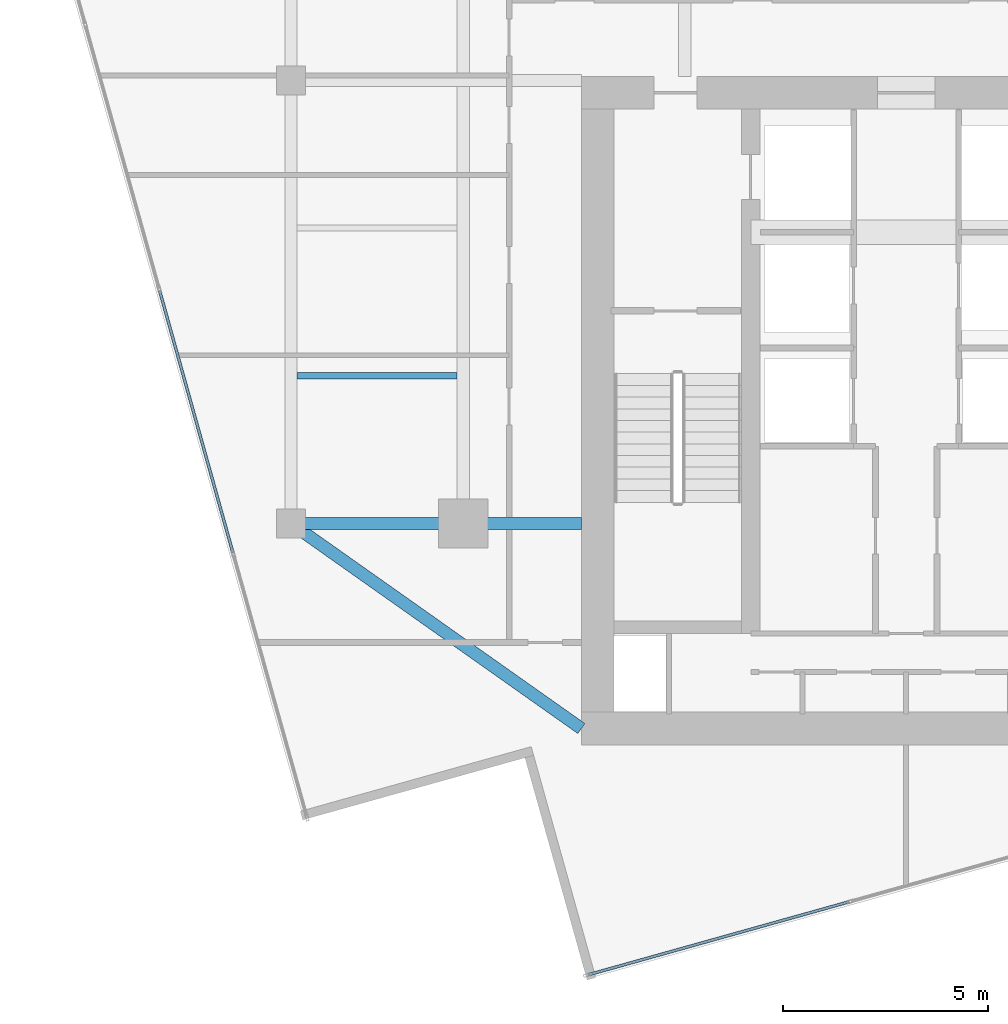
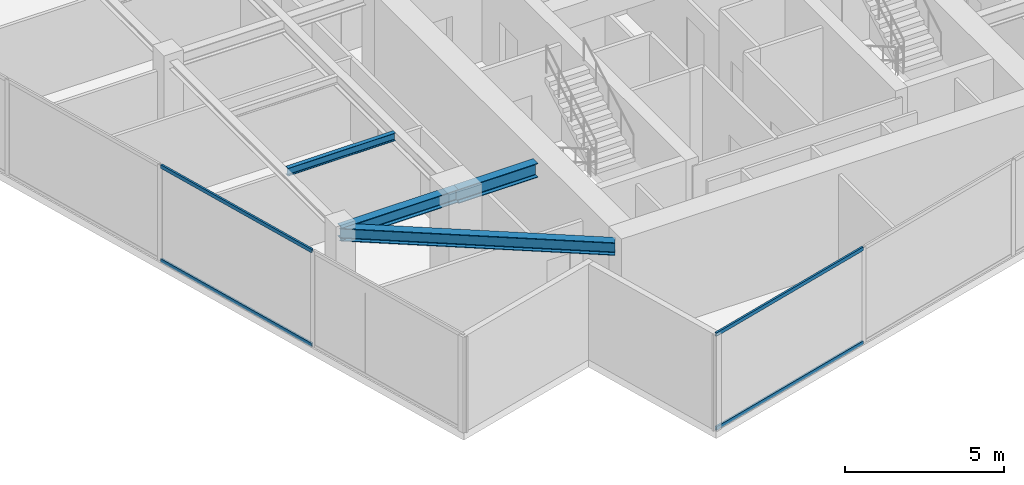
# One storey, part 3 of 21: 4 beams, 4 members, 2 elements without a shape of their own.
"""IFC4 building model written with IfcOpenShell, lengths in metres."""

from ifc_helpers import new_model, si_unit, direction, frame, origin, origin_2d, place, context, subcontext, project, spatial, hollow_rectangle, i_section, extrude, source, transform, mapped, material, material_profile, profile_set, type_object, type_shapes, element, aggregate, save


model = new_model("IFC4")

# Units and contexts
model_context = context("Model", 3, precision=1e-05, world=origin(), true_north=direction((0.0, 1.0)))
body_context = subcontext(model_context, "Body", "Model", "MODEL_VIEW")
ifc_project = project(units=[si_unit("LENGTHUNIT", "METRE"), si_unit("AREAUNIT", "SQUARE_METRE"), si_unit("VOLUMEUNIT", "CUBIC_METRE"), si_unit("PLANEANGLEUNIT", "RADIAN"), si_unit("MASSUNIT", "GRAM", prefix="KILO")], contexts=[model_context])

# Site, building, storey
site_placement = place(None, origin())
site = spatial("IfcSite", under=ifc_project, at=site_placement, CompositionType="ELEMENT")
building_placement = place(site_placement, origin())
building = spatial("IfcBuilding", under=site, at=building_placement, Name="Krantzveldt Concourse Tower", CompositionType="ELEMENT")
storey_placement = place(building_placement, frame((0.0, 0.0, 347.449951171875)))
storey = spatial("IfcBuildingStorey", under=building, at=storey_placement, Name="L85", CompositionType="ELEMENT", Elevation=347.449951171875)

# Beams
ifc_material_1 = material(Name="Steel S355JR", Category="steel")
ifc_material_profile_1 = material_profile(ifc_material_1, i_section(OverallWidth=0.300048828125, OverallDepth=0.489990234375, WebThickness=0.011962890625, FlangeThickness=0.02294921875, FilletRadius=0.027099609375, at=origin_2d()), Name="Steel S355JR", Category="steel")
ifc_profile_set_1 = profile_set([ifc_material_profile_1], Name="Steel S355JR - HEA 500")
beam_type_1 = type_object("IfcBeamType", Name="BM-B-HEA500", PredefinedType="BEAM", material=ifc_profile_set_1)
shared_shape_1 = source(origin(), body_context, "Body", "SweptSolid", [
    extrude(i_section(OverallWidth=0.300048828125, OverallDepth=0.489990234375, WebThickness=0.011962890625, FlangeThickness=0.02294921875, FilletRadius=0.027099609375, at=origin_2d()), origin(), (0.0, 0.0, 1.0), 4.199951171875),
])
beam_1_placement = place(storey_placement, frame((21.0, 15.89990234375, 3.425048828125), z_axis=(1.0, 0.0, 0.0), x_axis=(0.0, 1.0, 0.0)))
element("IfcBeam", 1, at=beam_1_placement, inside=storey, type_object=beam_type_1, Name="L85 Tower Girder BR-RL1", PredefinedType="BEAM", context=body_context, shape_type="MappedRepresentation", body=[
    mapped(shared_shape_1, transform((0.0, 0.0, 0.0), x_axis=(1.0, 0.0, 0.0), y_axis=(0.0, 1.0, 0.0), z_axis=(0.0, 0.0, 1.0), scale=1.0)),
])
shared_shape_2 = source(origin(), body_context, "Body", "SweptSolid", [
    extrude(i_section(OverallWidth=0.300048828125, OverallDepth=0.489990234375, WebThickness=0.011962890625, FlangeThickness=0.02294921875, FilletRadius=0.027099609375, at=origin_2d()), origin(), (0.0, 0.0, 1.0), 8.667724609375),
])
type_shapes(beam_type_1, [shared_shape_1, shared_shape_2])
beam_2_placement = place(storey_placement, frame((21.0, 15.89990234375, 3.425048828125), z_axis=(0.81684294656, -0.576860122261, 0.0), x_axis=(0.576860122261, 0.81684294656, 0.0)))
element("IfcBeam", 2, at=beam_2_placement, inside=storey, type_object=beam_type_1, Name="L85 Tower Girder BR-CSW", PredefinedType="BEAM", context=body_context, shape_type="MappedRepresentation", body=[
    mapped(shared_shape_2, transform((0.0, 0.0, 0.0), x_axis=(1.0, 0.0, 0.0), y_axis=(0.0, 1.0, 0.0), z_axis=(0.0, 0.0, 1.0), scale=1.0)),
])
ifc_material_profile_2 = material_profile(ifc_material_1, i_section(OverallWidth=0.300048828125, OverallDepth=0.5400390625, WebThickness=0.012451171875, FlangeThickness=0.02392578125, FilletRadius=0.027099609375, at=origin_2d()), Name="Steel S355JR", Category="steel")
ifc_profile_set_2 = profile_set([ifc_material_profile_2], Name="Steel S355JR - HEA 550")
beam_type_2 = type_object("IfcBeamType", Name="BM-B-HEA550", PredefinedType="BEAM", material=ifc_profile_set_2)
shared_shape_3 = source(origin(), body_context, "Body", "SweptSolid", [
    extrude(i_section(OverallWidth=0.300048828125, OverallDepth=0.5400390625, WebThickness=0.012451171875, FlangeThickness=0.02392578125, FilletRadius=0.027099609375, at=origin_2d()), origin(), (0.0, 0.0, 1.0), 2.880126953125),
])
type_shapes(beam_type_2, [shared_shape_3])
beam_3_placement = place(storey_placement, frame((25.199951171875, 15.89990234375, 3.400146484375), z_axis=(1.0, 0.0, 0.0), x_axis=(0.0, 1.0, 0.0)))
element("IfcBeam", 3, at=beam_3_placement, inside=storey, type_object=beam_type_2, Name="L85 Tower Girder BG-CW1", PredefinedType="BEAM", context=body_context, shape_type="MappedRepresentation", body=[
    mapped(shared_shape_3, transform((0.0, 0.0, 0.0), x_axis=(1.0, 0.0, 0.0), y_axis=(0.0, 1.0, 0.0), z_axis=(0.0, 0.0, 1.0), scale=1.0)),
])
ifc_material_profile_3 = material_profile(ifc_material_1, i_section(OverallWidth=0.14990234375, OverallDepth=0.300048828125, WebThickness=0.007080078125, FlangeThickness=0.0107421875, FilletRadius=0.014892578125, at=origin_2d()), Name="Steel S355JR", Category="steel")
ifc_profile_set_3 = profile_set([ifc_material_profile_3], Name="Steel S355JR - IPE 300")
beam_type_3 = type_object("IfcBeamType", Name="BM-J-IPE300", PredefinedType="JOIST", material=ifc_profile_set_3)
shared_shape_4 = source(origin(), body_context, "Body", "SweptSolid", [
    extrude(i_section(OverallWidth=0.14990234375, OverallDepth=0.300048828125, WebThickness=0.007080078125, FlangeThickness=0.0107421875, FilletRadius=0.014892578125, at=origin_2d()), origin(), (0.0, 0.0, 1.0), 3.900146484375),
])
type_shapes(beam_type_3, [shared_shape_4])
beam_4_placement = place(storey_placement, frame((21.14990234375, 19.5, 3.52001953125), z_axis=(1.0, 0.0, 0.0), x_axis=(0.0, 1.0, 0.0)))
element("IfcBeam", 4, at=beam_4_placement, inside=storey, type_object=beam_type_3, Name="L85 Secondary Floor Joist JW-1", PredefinedType="JOIST", context=body_context, shape_type="MappedRepresentation", body=[
    mapped(shared_shape_4, transform((0.0, 0.0, 0.0), x_axis=(1.0, 0.0, 0.0), y_axis=(0.0, 1.0, 0.0), z_axis=(0.0, 0.0, 1.0), scale=1.0)),
])

# Curtain wall, members
ifc_material_2 = material(Name="Anodised aluminium 6063-T6", Category="aluminium")
curtain_wall_type = type_object("IfcCurtainWallType", Name="CW4", PredefinedType="USERDEFINED", material=ifc_material_2)
curtain_wall_1_placement = place(storey_placement, origin())
curtain_wall_1 = element("IfcCurtainWall", 5, at=curtain_wall_1_placement, inside=storey, type_object=curtain_wall_type, Name="CW-L85-F07", ObjectType="UNITISED CURTAIN WALL", PredefinedType="USERDEFINED")
ifc_material_profile_4 = material_profile(ifc_material_2, hollow_rectangle(XDim=0.070068359375, YDim=0.139892578125, WallThickness=0.0048828125, at=origin_2d()), Name="Anodised aluminium 6063-T6", Category="aluminium")
ifc_profile_set_4 = profile_set([ifc_material_profile_4], Name="Anodised aluminium 6063-T6 - ALU-TRAN 140x70x5")
member_type = type_object("IfcMemberType", Name="CW-TRN-150", PredefinedType="USERDEFINED", material=ifc_profile_set_4)
shared_shape_5 = source(origin(), body_context, "Body", "SweptSolid", [
    extrude(hollow_rectangle(XDim=0.070068359375, YDim=0.139892578125, WallThickness=0.0048828125, at=origin_2d()), origin(), (0.0, 0.0, 1.0), 6.594970703125),
])
member_1_placement = place(storey_placement, frame((28.255859375, 4.8984375, 0.03515625), z_axis=(0.963042794459, 0.269348428694, 0.0), x_axis=(-0.269348428694, 0.963042794459, 0.0)))
member_1 = element("IfcMember", 6, at=member_1_placement, type_object=member_type, Name="CW-Z56 transom 1.1", ObjectType="TRANSOM", PredefinedType="USERDEFINED", context=body_context, shape_type="MappedRepresentation", body=[
    mapped(shared_shape_5, transform((0.0, 0.0, 0.0), x_axis=(1.0, 0.0, 0.0), y_axis=(0.0, 1.0, 0.0), z_axis=(0.0, 0.0, 1.0), scale=1.0)),
])
member_2_placement = place(storey_placement, frame((28.255859375, 4.8984375, 3.635009765625), z_axis=(0.963042794459, 0.269348428694, 0.0), x_axis=(-0.269348428694, 0.963042794459, 0.0)))
member_2 = element("IfcMember", 7, at=member_2_placement, type_object=member_type, Name="CW-Z56 transom 1.2", ObjectType="TRANSOM", PredefinedType="USERDEFINED", context=body_context, shape_type="MappedRepresentation", body=[
    mapped(shared_shape_5, transform((0.0, 0.0, 0.0), x_axis=(1.0, 0.0, 0.0), y_axis=(0.0, 1.0, 0.0), z_axis=(0.0, 0.0, 1.0), scale=1.0)),
])
aggregate(curtain_wall_1, [member_1, member_2])

curtain_wall_2_placement = place(storey_placement, origin())
curtain_wall_2 = element("IfcCurtainWall", 8, at=curtain_wall_2_placement, inside=storey, type_object=curtain_wall_type, Name="CW-L85-F04", ObjectType="UNITISED CURTAIN WALL", PredefinedType="USERDEFINED")
shared_shape_6 = source(origin(), body_context, "Body", "SweptSolid", [
    extrude(hollow_rectangle(XDim=0.070068359375, YDim=0.139892578125, WallThickness=0.0048828125, at=origin_2d()), origin(), (0.0, 0.0, 1.0), 6.6298828125),
])
type_shapes(member_type, [shared_shape_5, shared_shape_6])
member_3_placement = place(storey_placement, frame((17.79833984375, 21.572998046875, 0.03515625), z_axis=(0.269328056819, -0.963048491931, 0.0), x_axis=(0.963048491931, 0.269328056819, 0.0)))
member_3 = element("IfcMember", 9, at=member_3_placement, type_object=member_type, Name="CW-Z56 transom 3.1", ObjectType="TRANSOM", PredefinedType="USERDEFINED", context=body_context, shape_type="MappedRepresentation", body=[
    mapped(shared_shape_6, transform((0.0, 0.0, 0.0), x_axis=(1.0, 0.0, 0.0), y_axis=(0.0, 1.0, 0.0), z_axis=(0.0, 0.0, 1.0), scale=1.0)),
])
member_4_placement = place(storey_placement, frame((17.79833984375, 21.572998046875, 3.635009765625), z_axis=(0.269328056819, -0.963048491931, 0.0), x_axis=(0.963048491931, 0.269328056819, 0.0)))
member_4 = element("IfcMember", 10, at=member_4_placement, type_object=member_type, Name="CW-Z56 transom 3.2", ObjectType="TRANSOM", PredefinedType="USERDEFINED", context=body_context, shape_type="MappedRepresentation", body=[
    mapped(shared_shape_6, transform((0.0, 0.0, 0.0), x_axis=(1.0, 0.0, 0.0), y_axis=(0.0, 1.0, 0.0), z_axis=(0.0, 0.0, 1.0), scale=1.0)),
])
aggregate(curtain_wall_2, [member_3, member_4])

save(model, "model.ifc")
